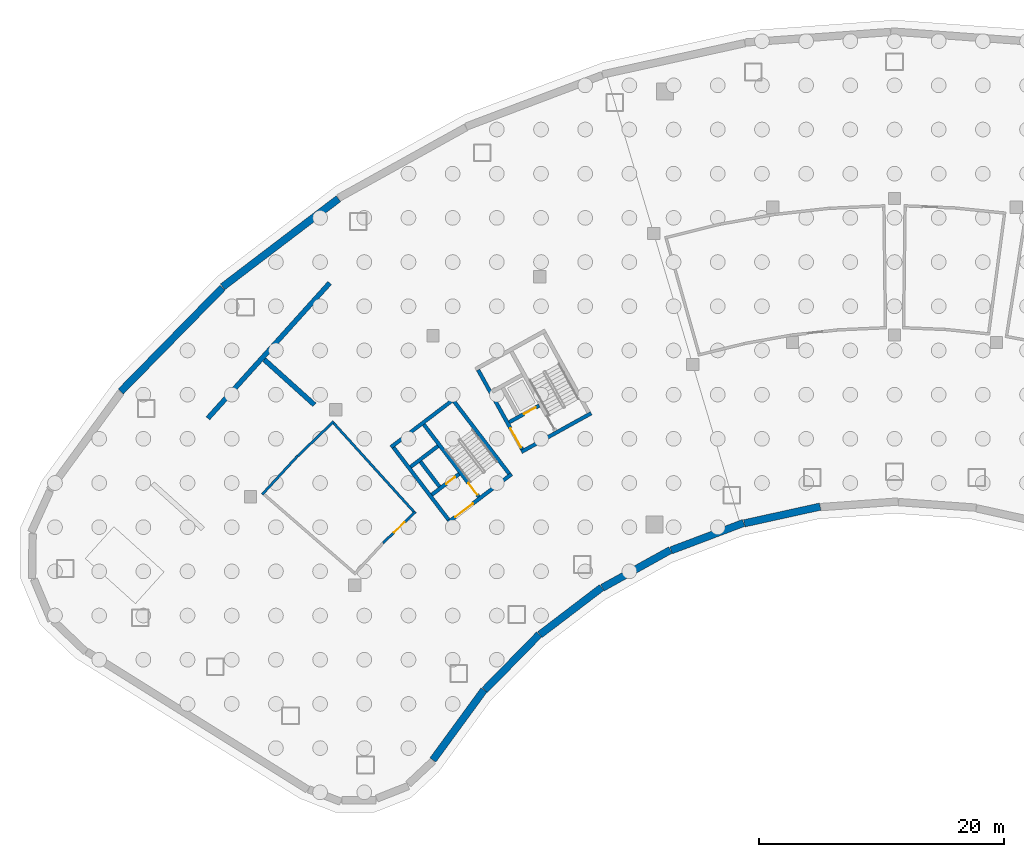
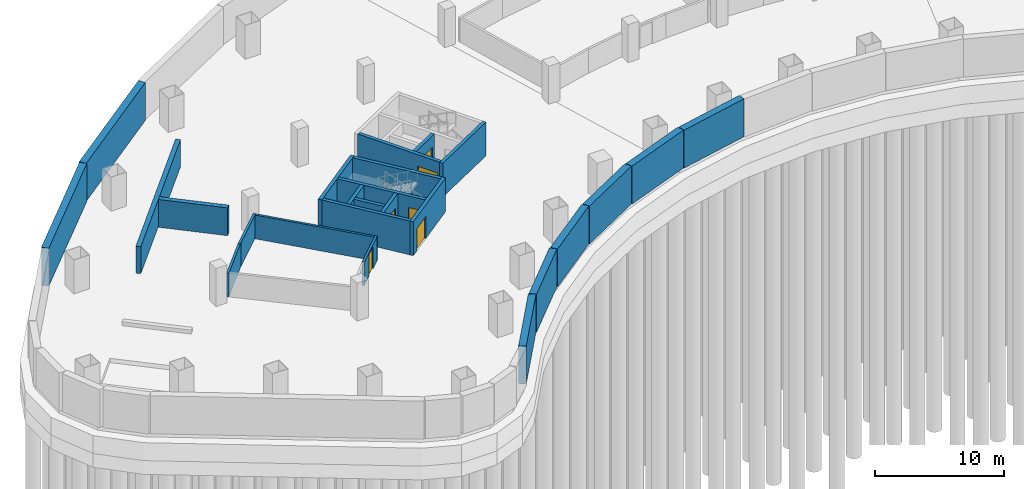
# One storey, part 4 of 10: 25 walls, 6 doors, 6 openings.
"""IFC4 building model written with IfcOpenShell, lengths in metres."""

from ifc_helpers import new_model, si_unit, direction, frame, frame_2d, origin, place, context, subcontext, project, spatial, rectangle, extrude, material, layer, layer_set, type_object, element, fill, save


model = new_model("IFC4")

# Units and contexts
model_context = context("Model", 3, precision=1e-05, world=origin(), true_north=direction((0.0, 1.0)))
body_context = subcontext(model_context, "Body", "Model", "MODEL_VIEW")
ifc_project = project(units=[si_unit("LENGTHUNIT", "METRE"), si_unit("AREAUNIT", "SQUARE_METRE"), si_unit("VOLUMEUNIT", "CUBIC_METRE"), si_unit("PLANEANGLEUNIT", "RADIAN"), si_unit("MASSUNIT", "GRAM", prefix="KILO")], contexts=[model_context])

# Site, building, storey
site_placement = place(None, origin())
site = spatial("IfcSite", under=ifc_project, at=site_placement, CompositionType="ELEMENT")
building_placement = place(site_placement, origin())
building = spatial("IfcBuilding", under=site, at=building_placement, Name="Tuul Gate Civic Tower", CompositionType="ELEMENT")
storey_placement = place(building_placement, frame((0.0, 0.0, -11.699951171875)))
storey = spatial("IfcBuildingStorey", under=building, at=storey_placement, Name="Basement 3", CompositionType="ELEMENT", Elevation=-11.699951171875)

# Walls
ifc_material_1 = material(Name="Concrete block", Category="concrete")
ifc_layer_1 = layer(ifc_material_1, 0.199951171875)
ifc_layer_set_1 = layer_set([ifc_layer_1], Name="Concrete block")
wall_type_1 = type_object("IfcWallType", Name="Basement room wall EI 120", PredefinedType="PARTITIONING", material=ifc_layer_set_1)
wall_1_placement = place(storey_placement, frame((-51.51953125, -15.330322265625, 0.0), z_axis=(0.0, 0.0, 1.0), x_axis=(0.678425052113, 0.734669618717, 0.0)))
element("IfcWall", 1, at=wall_1_placement, inside=storey, type_object=wall_type_1, Name="Room wall", PredefinedType="PARTITIONING", context=body_context, shape_type="SweptSolid", body=[
    extrude(rectangle(XDim=4.266845703125, YDim=0.199951171875, at=frame_2d((2.13330078125, 0.0))), origin(), (0.0, 0.0, 1.0), 2.25),
])
wall_2_placement = place(storey_placement, frame((-48.7646484375, -12.33837890625, 0.0), z_axis=(0.0, 0.0, 1.0), x_axis=(0.720986985757, 0.692948602978, 0.0)))
element("IfcWall", 2, at=wall_2_placement, inside=storey, type_object=wall_type_1, Name="Room wall", PredefinedType="PARTITIONING", context=body_context, shape_type="SweptSolid", body=[
    extrude(rectangle(XDim=4.2666015625, YDim=0.199951171875, at=frame_2d((2.13330078125, 0.0))), origin(), (0.0, 0.0, 1.0), 2.25),
])
wall_3_placement = place(storey_placement, frame((-45.82763671875, -9.376953125, 0.0), z_axis=(0.0, 0.0, 1.0), x_axis=(0.671128511125, -0.741341029186, 0.0)))
element("IfcWall", 3, at=wall_3_placement, inside=storey, type_object=wall_type_1, Name="Room wall", PredefinedType="PARTITIONING", context=body_context, shape_type="SweptSolid", body=[
    extrude(rectangle(XDim=10.12890625, YDim=0.199951171875, at=frame_2d((5.064453125, 0.0))), origin(), (0.0, 0.0, 1.0), 2.25),
])

# Wall, opening, door
wall_4_placement = place(storey_placement, frame((-39.02490234375, -16.742431640625, 0.0), z_axis=(0.0, 0.0, 1.0), x_axis=(-0.720986248136, -0.692949370444, 0.0)))
wall_4 = element("IfcWall", 4, at=wall_4_placement, inside=storey, type_object=wall_type_1, Name="Room wall", PredefinedType="PARTITIONING", context=body_context, shape_type="SweptSolid", body=[
    extrude(rectangle(XDim=3.6748046875, YDim=0.199951171875, at=frame_2d((1.83740234375, 0.0))), origin(), (0.0, 0.0, 1.0), 2.25),
])
opening_1_placement = place(wall_4_placement, frame((1.2373046875, 0.0, 0.0)))
opening_1 = element("IfcOpeningElement", 5, at=opening_1_placement, cuts=wall_4, Name="Opening PD", PredefinedType="OPENING", context=body_context, shape_type="SweptSolid", body=[
    extrude(rectangle(XDim=1.199951171875, YDim=2.10009765625, at=frame_2d((0.60009765625, 1.050048828125))), frame((0.0, 0.10986328125, 0.0), z_axis=(0.0, -1.0, 0.0), x_axis=(1.0, 0.0, 0.0)), (0.0, 0.0, 1.0), 0.219970703125),
])
ifc_material_2 = material(Name="Steel door", Category="steel")
door_type_1 = type_object("IfcDoorType", Name="Plant room door", OperationType="DOUBLE_DOOR_SINGLE_SWING", PredefinedType="DOOR", material=ifc_material_2)
door_1_placement = place(opening_1_placement, origin())
door_1 = element("IfcDoor", 6, at=door_1_placement, inside=storey, type_object=door_type_1, Name="Door", OperationType="DOUBLE_DOOR_SINGLE_SWING", OverallHeight=2.10009765625, OverallWidth=1.199951171875, PredefinedType="DOOR", context=body_context, shape_type="SweptSolid", body=[
    extrude(rectangle(XDim=1.199951171875, YDim=2.10009765625, at=frame_2d((0.60009765625, 1.050048828125))), frame((0.0, 0.02490234375, 0.0), z_axis=(0.0, -1.0, 0.0), x_axis=(1.0, 0.0, 0.0)), (0.0, 0.0, 1.0), 0.050048828125),
])
fill(opening_1, door_1)

ifc_material_3 = material(Name="Concrete C50/60", Category="concrete")
ifc_layer_2 = layer(ifc_material_3, 0.300048828125)
ifc_layer_set_2 = layer_set([ifc_layer_2], Name="Concrete C50/60")
wall_type_2 = type_object("IfcWallType", Name="Core wall C50/60", PredefinedType="SHEAR", material=ifc_layer_set_2)
wall_5_placement = place(storey_placement, frame((-31.19091796875, -13.669677734375, 0.0), z_axis=(0.0, 0.0, 1.0), x_axis=(-0.795606717756, -0.605813461934, 0.0)))
wall_5 = element("IfcWall", 7, at=wall_5_placement, inside=storey, type_object=wall_type_2, Name="Core wall", PredefinedType="SHEAR", context=body_context, shape_type="SweptSolid", body=[
    extrude(rectangle(XDim=6.5, YDim=0.300048828125, at=frame_2d((3.25, 0.0))), origin(), (0.0, 0.0, 1.0), 3.199951171875),
])
opening_2_placement = place(wall_5_placement, frame((3.97509765625, 0.0, 0.0)))
opening_2 = element("IfcOpeningElement", 8, at=opening_2_placement, cuts=wall_5, Name="Opening LB-W1-LOBBY-1", PredefinedType="OPENING", context=body_context, shape_type="SweptSolid", body=[
    extrude(rectangle(XDim=1.800048828125, YDim=2.10009765625, at=frame_2d((0.89990234375, 1.050048828125))), frame((0.0, 0.16015625, 0.0), z_axis=(0.0, -1.0, 0.0), x_axis=(1.0, 0.0, 0.0)), (0.0, 0.0, 1.0), 0.320068359375),
])
ifc_material_4 = material(Name="Steel", Category="steel")
door_type_2 = type_object("IfcDoorType", Name="Lobby door", OperationType="DOUBLE_DOOR_SINGLE_SWING", PredefinedType="DOOR", material=ifc_material_4)
door_2_placement = place(opening_2_placement, origin())
door_2 = element("IfcDoor", 9, at=door_2_placement, inside=storey, type_object=door_type_2, Name="Lobby door W1-LOBBY", OperationType="DOUBLE_DOOR_SINGLE_SWING", OverallHeight=2.10009765625, OverallWidth=1.800048828125, PredefinedType="DOOR", context=body_context, shape_type="SweptSolid", body=[
    extrude(rectangle(XDim=1.800048828125, YDim=2.10009765625, at=frame_2d((0.89990234375, 1.050048828125))), frame((0.0, 0.02490234375, 0.0), z_axis=(0.0, -1.0, 0.0), x_axis=(1.0, 0.0, 0.0)), (0.0, 0.0, 1.0), 0.050048828125),
])
fill(opening_2, door_2)

wall_6_placement = place(storey_placement, frame((-35.470947265625, -13.66064453125, 0.0), z_axis=(0.0, 0.0, 1.0), x_axis=(-0.795615822227, -0.605801504968, 0.0)))
wall_6 = element("IfcWall", 10, at=wall_6_placement, inside=storey, type_object=wall_type_2, Name="Core wall", PredefinedType="SHEAR", context=body_context, shape_type="SweptSolid", body=[
    extrude(rectangle(XDim=2.800048828125, YDim=0.300048828125, at=frame_2d((1.39990234375, 0.0))), origin(), (0.0, 0.0, 1.0), 3.199951171875),
])
opening_3_placement = place(wall_6_placement, frame((0.425048828125, 0.0, 0.0)))
opening_3 = element("IfcOpeningElement", 11, at=opening_3_placement, cuts=wall_6, Name="Opening FB-W1A1", PredefinedType="OPENING", context=body_context, shape_type="SweptSolid", body=[
    extrude(rectangle(XDim=0.89990234375, YDim=2.10009765625, at=frame_2d((0.449951171875, 1.050048828125))), frame((0.0, 0.16015625, 0.0), z_axis=(0.0, -1.0, 0.0), x_axis=(1.0, 0.0, 0.0)), (0.0, 0.0, 1.0), 0.320068359375),
])
ifc_material_5 = material(Name="Steel", Category="steel")
door_type_3 = type_object("IfcDoorType", Name="Store door", OperationType="NOTDEFINED", PredefinedType="DOOR", material=ifc_material_5)
door_3_placement = place(opening_3_placement, frame((0.89990234375, 0.0, 0.0), z_axis=(0.0, 0.0, 1.0), x_axis=(-1.0, 0.0, 0.0)))
door_3 = element("IfcDoor", 12, at=door_3_placement, inside=storey, type_object=door_type_3, Name="Store door W1A1", OperationType="SINGLE_SWING_RIGHT", OverallHeight=2.10009765625, OverallWidth=0.89990234375, PredefinedType="DOOR", context=body_context, shape_type="SweptSolid", body=[
    extrude(rectangle(XDim=0.89990234375, YDim=2.10009765625, at=frame_2d((0.449951171875, 1.050048828125))), frame((0.0, 0.02490234375, 0.0), z_axis=(0.0, -1.0, 0.0), x_axis=(1.0, 0.0, 0.0)), (0.0, 0.0, 1.0), 0.050048828125),
])
fill(opening_3, door_3)

# Walls
wall_7_placement = place(storey_placement, frame((-37.197509765625, -11.39306640625, 0.0), z_axis=(0.0, 0.0, 1.0), x_axis=(-0.795583820278, -0.605843531707, 0.0)))
element("IfcWall", 13, at=wall_7_placement, inside=storey, type_object=wall_type_2, Name="Core wall", PredefinedType="SHEAR", context=body_context, shape_type="SweptSolid", body=[
    extrude(rectangle(XDim=2.7998046875, YDim=0.300048828125, at=frame_2d((1.39990234375, 0.0))), origin(), (0.0, 0.0, 1.0), 3.199951171875),
])
wall_8_placement = place(storey_placement, frame((-35.855224609375, -7.543212890625, 0.0), z_axis=(0.0, 0.0, 1.0), x_axis=(-0.79563860527, -0.605771582202, 0.0)))
element("IfcWall", 14, at=wall_8_placement, inside=storey, type_object=wall_type_2, Name="Core wall", PredefinedType="SHEAR", context=body_context, shape_type="SweptSolid", body=[
    extrude(rectangle(XDim=6.5, YDim=0.300048828125, at=frame_2d((3.25, 0.0))), origin(), (0.0, 0.0, 1.0), 3.199951171875),
])
wall_9_placement = place(storey_placement, frame((-31.401123046875, -13.64111328125, 0.0), z_axis=(0.0, 0.0, 1.0), x_axis=(-0.605769822278, 0.795639945213, 0.0)))
element("IfcWall", 15, at=wall_9_placement, inside=storey, type_object=wall_type_2, Name="Core wall", PredefinedType="SHEAR", context=body_context, shape_type="SweptSolid", body=[
    extrude(rectangle(XDim=7.39990234375, YDim=0.300048828125, at=frame_2d((3.699951171875, 0.0))), origin(), (0.0, 0.0, 1.0), 3.199951171875),
])

# Wall, opening, door
wall_10_placement = place(storey_placement, frame((-33.867431640625, -15.51904296875, 0.0), z_axis=(0.0, 0.0, 1.0), x_axis=(-0.605769822278, 0.795639945213, 0.0)))
wall_10 = element("IfcWall", 16, at=wall_10_placement, inside=storey, type_object=wall_type_2, Name="Core wall", PredefinedType="SHEAR", context=body_context, shape_type="SweptSolid", body=[
    extrude(rectangle(XDim=7.39990234375, YDim=0.300048828125, at=frame_2d((3.699951171875, 0.0))), origin(), (0.0, 0.0, 1.0), 3.199951171875),
])
opening_4_placement = place(wall_10_placement, frame((0.199951171875, 0.0, 0.0)))
opening_4 = element("IfcOpeningElement", 17, at=opening_4_placement, cuts=wall_10, Name="Opening SD-ST-1", PredefinedType="OPENING", context=body_context, shape_type="SweptSolid", body=[
    extrude(rectangle(XDim=1.199951171875, YDim=2.10009765625, at=frame_2d((0.60009765625, 1.050048828125))), frame((0.0, 0.16015625, 0.0), z_axis=(0.0, -1.0, 0.0), x_axis=(1.0, 0.0, 0.0)), (0.0, 0.0, 1.0), 0.320068359375),
])
ifc_material_6 = material(Name="Steel", Category="steel")
door_type_4 = type_object("IfcDoorType", Name="Stair door", OperationType="NOTDEFINED", PredefinedType="DOOR", material=ifc_material_6)
door_4_placement = place(opening_4_placement, origin())
door_4 = element("IfcDoor", 18, at=door_4_placement, inside=storey, type_object=door_type_4, Name="Stair door ST-1", OperationType="SINGLE_SWING_LEFT", OverallHeight=2.10009765625, OverallWidth=1.199951171875, PredefinedType="DOOR", context=body_context, shape_type="SweptSolid", body=[
    extrude(rectangle(XDim=1.199951171875, YDim=2.10009765625, at=frame_2d((0.60009765625, 1.050048828125))), frame((0.0, 0.02490234375, 0.0), z_axis=(0.0, -1.0, 0.0), x_axis=(1.0, 0.0, 0.0)), (0.0, 0.0, 1.0), 0.050048828125),
])
fill(opening_4, door_4)

# Walls
wall_11_placement = place(storey_placement, frame((-37.073486328125, -14.6923828125, 0.0), z_axis=(0.0, 0.0, 1.0), x_axis=(-0.605728760074, 0.79567120673, 0.0)))
element("IfcWall", 19, at=wall_11_placement, inside=storey, type_object=wall_type_2, Name="Core wall", PredefinedType="SHEAR", context=body_context, shape_type="SweptSolid", body=[
    extrude(rectangle(XDim=2.550048828125, YDim=0.300048828125, at=frame_2d((1.27490234375, 0.0))), origin(), (0.0, 0.0, 1.0), 3.199951171875),
])
wall_12_placement = place(storey_placement, frame((-36.333984375, -17.397216796875, 0.0), z_axis=(0.0, 0.0, 1.0), x_axis=(-0.605753921168, 0.795652051458, 0.0)))
element("IfcWall", 20, at=wall_12_placement, inside=storey, type_object=wall_type_2, Name="Core wall", PredefinedType="SHEAR", context=body_context, shape_type="SweptSolid", body=[
    extrude(rectangle(XDim=7.400146484375, YDim=0.300048828125, at=frame_2d((3.7001953125, 0.0))), origin(), (0.0, 0.0, 1.0), 3.199951171875),
])
wall_13_placement = place(storey_placement, frame((-24.711669921875, -8.7158203125, 0.0), z_axis=(0.0, 0.0, 1.0), x_axis=(-0.874629909008, -0.484791215132, 0.0)))
element("IfcWall", 21, at=wall_13_placement, inside=storey, type_object=wall_type_2, Name="Core wall", PredefinedType="SHEAR", context=body_context, shape_type="SweptSolid", body=[
    extrude(rectangle(XDim=6.5, YDim=0.300048828125, at=frame_2d((3.25, 0.0))), origin(), (0.0, 0.0, 1.0), 3.199951171875),
])

# Wall, opening, door
wall_14_placement = place(storey_placement, frame((-28.94580078125, -8.090087890625, 0.0), z_axis=(0.0, 0.0, 1.0), x_axis=(-0.874629840737, -0.484791338301, 0.0)))
wall_14 = element("IfcWall", 22, at=wall_14_placement, inside=storey, type_object=wall_type_2, Name="Core wall", PredefinedType="SHEAR", context=body_context, shape_type="SweptSolid", body=[
    extrude(rectangle(XDim=2.800048828125, YDim=0.300048828125, at=frame_2d((1.39990234375, 0.0))), origin(), (0.0, 0.0, 1.0), 3.199951171875),
])
opening_5_placement = place(wall_14_placement, frame((0.324951171875, 0.0, 0.0)))
opening_5 = element("IfcOpeningElement", 23, at=opening_5_placement, cuts=wall_14, Name="Opening LD-FF-1", PredefinedType="OPENING", context=body_context, shape_type="SweptSolid", body=[
    extrude(rectangle(XDim=1.10009765625, YDim=2.10009765625, at=frame_2d((0.550048828125, 1.050048828125))), frame((0.0, 0.16015625, 0.0), z_axis=(0.0, -1.0, 0.0), x_axis=(1.0, 0.0, 0.0)), (0.0, 0.0, 1.0), 0.320068359375),
])
ifc_material_7 = material(Name="Stainless steel", Category="steel")
door_type_5 = type_object("IfcDoorType", Name="Landing door", OperationType="DOUBLE_DOOR_SLIDING", PredefinedType="DOOR", material=ifc_material_7)
door_5_placement = place(opening_5_placement, origin())
door_5 = element("IfcDoor", 24, at=door_5_placement, inside=storey, type_object=door_type_5, Name="Fire-fighting lift FF-1 landing door", OperationType="DOUBLE_DOOR_SLIDING", OverallHeight=2.10009765625, OverallWidth=1.10009765625, PredefinedType="DOOR", context=body_context, shape_type="SweptSolid", body=[
    extrude(rectangle(XDim=1.10009765625, YDim=2.10009765625, at=frame_2d((0.550048828125, 1.050048828125))), frame((0.0, 0.02490234375, 0.0), z_axis=(0.0, -1.0, 0.0), x_axis=(1.0, 0.0, 0.0)), (0.0, 0.0, 1.0), 0.050048828125),
])
fill(opening_5, door_5)

wall_15_placement = place(storey_placement, frame((-30.33837890625, -11.6630859375, 0.0), z_axis=(0.0, 0.0, 1.0), x_axis=(-0.484751894226, 0.874651702704, 0.0)))
wall_15 = element("IfcWall", 25, at=wall_15_placement, inside=storey, type_object=wall_type_2, Name="Core wall", PredefinedType="SHEAR", context=body_context, shape_type="SweptSolid", body=[
    extrude(rectangle(XDim=7.39990234375, YDim=0.300048828125, at=frame_2d((3.699951171875, 0.0))), origin(), (0.0, 0.0, 1.0), 3.199951171875),
])
opening_6_placement = place(wall_15_placement, frame((0.175048828125, 0.0, 0.0)))
opening_6 = element("IfcOpeningElement", 26, at=opening_6_placement, cuts=wall_15, Name="Opening LB-W2-FLOBBY-1", PredefinedType="OPENING", context=body_context, shape_type="SweptSolid", body=[
    extrude(rectangle(XDim=1.800048828125, YDim=2.10009765625, at=frame_2d((0.89990234375, 1.050048828125))), frame((0.0, 0.16015625, 0.0), z_axis=(0.0, -1.0, 0.0), x_axis=(1.0, 0.0, 0.0)), (0.0, 0.0, 1.0), 0.320068359375),
])
door_6_placement = place(opening_6_placement, origin())
door_6 = element("IfcDoor", 27, at=door_6_placement, inside=storey, type_object=door_type_2, Name="Lobby door W2-FLOBBY", OperationType="DOUBLE_DOOR_SINGLE_SWING", OverallHeight=2.10009765625, OverallWidth=1.800048828125, PredefinedType="DOOR", context=body_context, shape_type="SweptSolid", body=[
    extrude(rectangle(XDim=1.800048828125, YDim=2.10009765625, at=frame_2d((0.89990234375, 1.050048828125))), frame((0.0, 0.02490234375, 0.0), z_axis=(0.0, -1.0, 0.0), x_axis=(1.0, 0.0, 0.0)), (0.0, 0.0, 1.0), 0.050048828125),
])
fill(opening_6, door_6)

# Walls
ifc_material_8 = material(Name="Concrete C40/50", Category="concrete")
ifc_layer_3 = layer(ifc_material_8, 0.39990234375)
ifc_layer_set_3 = layer_set([ifc_layer_3], Name="Concrete C40/50")
wall_type_3 = type_object("IfcWallType", Name="Ramp support wall 2552 HIGH", PredefinedType="SOLIDWALL", material=ifc_layer_set_3)
wall_16_placement = place(storey_placement, frame((-55.944091796875, -9.13037109375, -0.0009765625), z_axis=(0.0, 0.0, 1.0), x_axis=(0.669140245131, 0.743136146575, 0.0)))
element("IfcWall", 28, at=wall_16_placement, inside=storey, type_object=wall_type_3, Name="Ramp support wall 2552 HIGH", PredefinedType="SOLIDWALL", context=body_context, shape_type="SweptSolid", body=[
    extrude(rectangle(XDim=14.830810546875, YDim=0.39990234375, at=frame_2d((7.41552734375, 0.0))), origin(), (0.0, 0.0, 1.0), 2.552001953125),
])
ifc_material_9 = material(Name="Concrete C40/50", Category="concrete")
ifc_layer_4 = layer(ifc_material_9, 0.39990234375)
ifc_layer_set_4 = layer_set([ifc_layer_4], Name="Concrete C40/50")
wall_type_4 = type_object("IfcWallType", Name="Ramp support wall 2635 HIGH", PredefinedType="SOLIDWALL", material=ifc_layer_set_4)
wall_17_placement = place(storey_placement, frame((-51.344482421875, -4.35107421875, -0.0009765625), z_axis=(0.0, 0.0, 1.0), x_axis=(0.743137411051, -0.669138840821, 0.0)))
element("IfcWall", 29, at=wall_17_placement, inside=storey, type_object=wall_type_4, Name="Ramp support wall 2635 HIGH", PredefinedType="SOLIDWALL", context=body_context, shape_type="SweptSolid", body=[
    extrude(rectangle(XDim=5.499755859375, YDim=0.39990234375, at=frame_2d((2.75, 0.0))), origin(), (0.0, 0.0, 1.0), 2.635009765625),
])
ifc_material_10 = material(Name="Concrete C40/50", Category="concrete")
ifc_layer_5 = layer(ifc_material_10, 0.60009765625)
ifc_layer_set_5 = layer_set([ifc_layer_5], Name="Concrete C40/50")
wall_type_5 = type_object("IfcWallType", Name="STR-BASEMENT-WALL-600", PredefinedType="SOLIDWALL", material=ifc_layer_set_5)
wall_18_placement = place(storey_placement, frame((-45.3056640625, 8.762939453125, 0.0), z_axis=(0.0, 0.0, 1.0), x_axis=(-0.795626369188, -0.605787653104, 0.0)))
element("IfcWall", 30, at=wall_18_placement, inside=storey, type_object=wall_type_5, Name="Retaining wall", PredefinedType="SOLIDWALL", context=body_context, shape_type="SweptSolid", body=[
    extrude(rectangle(XDim=11.85986328125, YDim=0.60009765625, at=frame_2d((5.929931640625, 0.0))), origin(), (0.0, 0.0, 1.0), 3.599853515625),
])
wall_19_placement = place(storey_placement, frame((-54.7421875, 1.51611328125, 0.0), z_axis=(0.0, 0.0, 1.0), x_axis=(-0.700052476252, -0.714091402058, 0.0)))
element("IfcWall", 31, at=wall_19_placement, inside=storey, type_object=wall_type_5, Name="Retaining wall", PredefinedType="SOLIDWALL", context=body_context, shape_type="SweptSolid", body=[
    extrude(rectangle(XDim=11.860107421875, YDim=0.60009765625, at=frame_2d((5.93017578125, 0.0))), origin(), (0.0, 0.0, 1.0), 3.599853515625),
])
wall_20_placement = place(storey_placement, frame((-37.609375, -36.96875, 0.0), z_axis=(0.0, 0.0, 1.0), x_axis=(0.589803496395, 0.807546800898, 0.0)))
element("IfcWall", 32, at=wall_20_placement, inside=storey, type_object=wall_type_5, Name="Retaining wall", PredefinedType="SOLIDWALL", context=body_context, shape_type="SweptSolid", body=[
    extrude(rectangle(XDim=7.067138671875, YDim=0.60009765625, at=frame_2d((3.53369140625, 0.0))), origin(), (0.0, 0.0, 1.0), 3.599853515625),
])
wall_21_placement = place(storey_placement, frame((-33.37890625, -31.260009765625, 0.0), z_axis=(0.0, 0.0, 1.0), x_axis=(0.700008509705, 0.714134501575, 0.0)))
element("IfcWall", 33, at=wall_21_placement, inside=storey, type_object=wall_type_5, Name="Retaining wall", PredefinedType="SOLIDWALL", context=body_context, shape_type="SweptSolid", body=[
    extrude(rectangle(XDim=6.32568359375, YDim=0.60009765625, at=frame_2d((3.162841796875, 0.0))), origin(), (0.0, 0.0, 1.0), 3.599853515625),
])
wall_22_placement = place(storey_placement, frame((-28.889404296875, -26.75, 0.0), z_axis=(0.0, 0.0, 1.0), x_axis=(0.795574327879, 0.605855996768, 0.0)))
element("IfcWall", 34, at=wall_22_placement, inside=storey, type_object=wall_type_5, Name="Retaining wall", PredefinedType="SOLIDWALL", context=body_context, shape_type="SweptSolid", body=[
    extrude(rectangle(XDim=6.326171875, YDim=0.60009765625, at=frame_2d((3.1630859375, 0.0))), origin(), (0.0, 0.0, 1.0), 3.599853515625),
])
wall_23_placement = place(storey_placement, frame((-23.796142578125, -22.933349609375, 0.0), z_axis=(0.0, 0.0, 1.0), x_axis=(0.874642854218, 0.484767859461, 0.0)))
element("IfcWall", 35, at=wall_23_placement, inside=storey, type_object=wall_type_5, Name="Retaining wall", PredefinedType="SOLIDWALL", context=body_context, shape_type="SweptSolid", body=[
    extrude(rectangle(XDim=6.326416015625, YDim=0.60009765625, at=frame_2d((3.1630859375, 0.0))), origin(), (0.0, 0.0, 1.0), 3.599853515625),
])
wall_24_placement = place(storey_placement, frame((-18.20556640625, -19.89111328125, 0.0), z_axis=(0.0, 0.0, 1.0), x_axis=(0.93537253931, 0.353663982764, 0.0)))
element("IfcWall", 36, at=wall_24_placement, inside=storey, type_object=wall_type_5, Name="Retaining wall", PredefinedType="SOLIDWALL", context=body_context, shape_type="SweptSolid", body=[
    extrude(rectangle(XDim=6.326171875, YDim=0.60009765625, at=frame_2d((3.1630859375, 0.0))), origin(), (0.0, 0.0, 1.0), 3.599853515625),
])
wall_25_placement = place(storey_placement, frame((-12.2353515625, -17.6865234375, 0.0), z_axis=(0.0, 0.0, 1.0), x_axis=(0.976575086018, 0.215176907144, 0.0)))
element("IfcWall", 37, at=wall_25_placement, inside=storey, type_object=wall_type_5, Name="Retaining wall", PredefinedType="SOLIDWALL", context=body_context, shape_type="SweptSolid", body=[
    extrude(rectangle(XDim=6.325439453125, YDim=0.60009765625, at=frame_2d((3.16259765625, 0.0))), origin(), (0.0, 0.0, 1.0), 3.599853515625),
])

save(model, "model.ifc")
